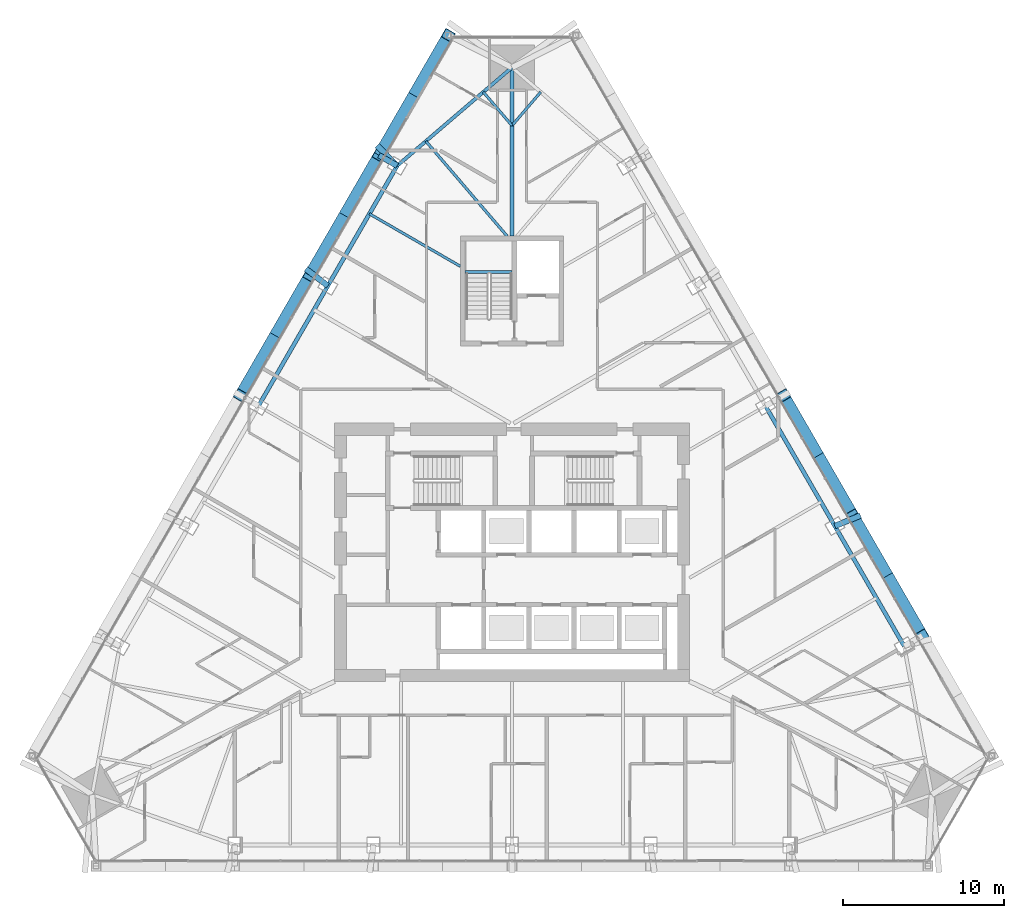
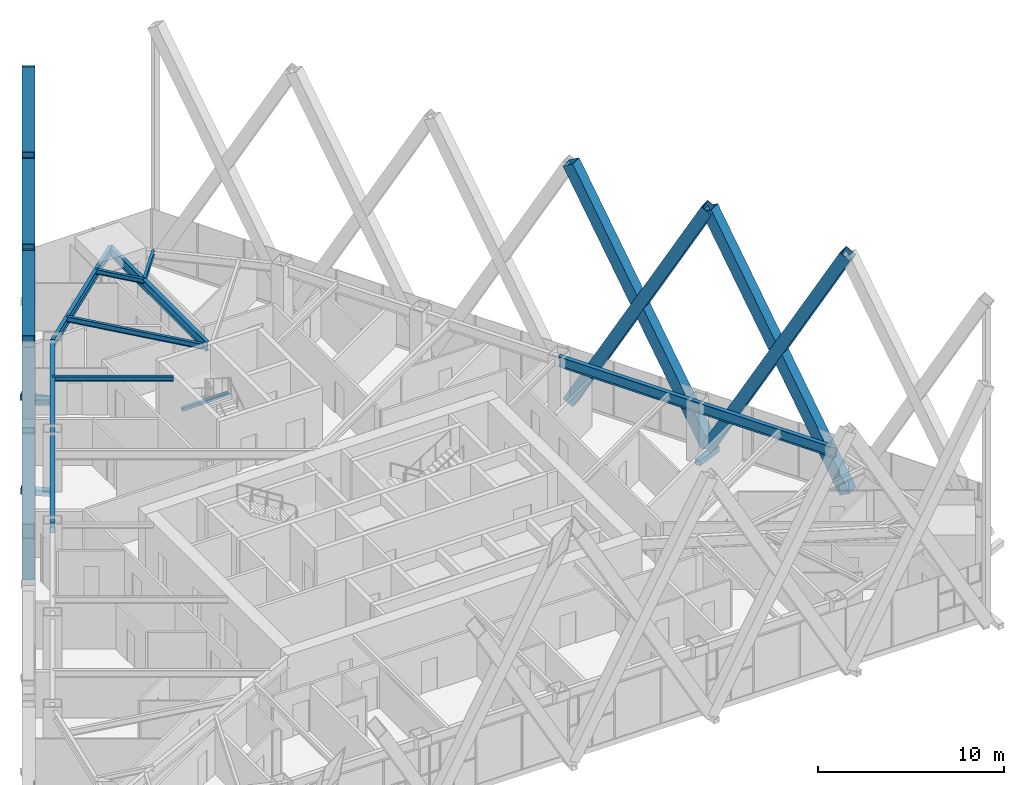
# One storey, part 14 of 23: 14 members, 9 beams.
"""IFC4 building model written with IfcOpenShell, lengths in metres."""

from ifc_helpers import new_model, si_unit, direction, frame, origin, origin_2d, place, context, subcontext, project, spatial, rectangle, hollow_rectangle, i_section, extrude, material, material_profile, profile_set, type_object, element, save


model = new_model("IFC4")

# Units and contexts
model_context = context("Model", 3, precision=1e-05, world=origin(), true_north=direction((0.0, 1.0)))
body_context = subcontext(model_context, "Body", "Model", "MODEL_VIEW")
ifc_project = project(units=[si_unit("LENGTHUNIT", "METRE"), si_unit("AREAUNIT", "SQUARE_METRE"), si_unit("VOLUMEUNIT", "CUBIC_METRE"), si_unit("PLANEANGLEUNIT", "RADIAN"), si_unit("MASSUNIT", "GRAM", prefix="KILO")], contexts=[model_context])

# Site, building, storey
site_placement = place(None, origin())
site = spatial("IfcSite", under=ifc_project, at=site_placement, CompositionType="ELEMENT")
building_placement = place(site_placement, origin())
building = spatial("IfcBuilding", under=site, at=building_placement, Name="Firuza Gate Tower and Library", CompositionType="ELEMENT")
storey_placement = place(building_placement, frame((0.0, 0.0, 202.60009765625)))
storey = spatial("IfcBuildingStorey", under=building, at=storey_placement, Name="L47", CompositionType="ELEMENT", Elevation=202.60009765625)

# Members
ifc_material_1 = material(Name="Steel S355", Category="steel")
ifc_material_profile_1 = material_profile(ifc_material_1, hollow_rectangle(XDim=0.699951171875, YDim=0.699951171875, WallThickness=0.030029296875, at=origin_2d()))
ifc_profile_set_1 = profile_set([ifc_material_profile_1], Name="Steel S355")
member_type_1 = type_object("IfcMemberType", Name="BU700x700x30 Lattice brace", PredefinedType="BRACE", material=ifc_profile_set_1)
for number, where, z_axis, x_axis, name in (
    (1, (100.4306640625, 69.836181640625, 0.0), (-0.241257548081, 0.417869039528, 0.875888269871), (-0.866024734654, -0.500001158966, 0.0), "Lattice brace E 11.2R"),
    (2, (96.1337890625, 77.278564453125, 0.0), (0.241257548081, -0.417869039528, 0.875888269871), (0.866024734654, 0.500001158966, 0.0), "Lattice brace E 11.2L"),
    (3, (96.1337890625, 77.278564453125, 0.0), (-0.241257548081, 0.417869039528, 0.875888269871), (-0.866024734654, -0.500001158966, 0.0), "Lattice brace E 11.3R"),
    (4, (91.8369140625, 84.720947265625, 0.0), (0.241257548081, -0.417869039528, 0.875888269871), (0.866024734654, 0.500001158966, 0.0), "Lattice brace E 11.3L"),
    (5, (71.0537109375, 107.048095703125, 0.0), (-0.241257548081, -0.417869039528, 0.875888269871), (0.866024734654, -0.500001158966, 0.0), "Lattice brace W 11.1R"),
    (6, (66.7568359375, 99.605712890625, 0.0), (0.241257548081, 0.417869039528, 0.875888269871), (-0.866024734654, 0.500001158966, 0.0), "Lattice brace W 11.1L"),
    (7, (66.7568359375, 99.605712890625, 0.0), (-0.241257548081, -0.417869039528, 0.875888269871), (0.866024734654, -0.500001158966, 0.0), "Lattice brace W 11.2R"),
    (8, (62.4599609375, 92.163330078125, 0.0), (0.241257548081, 0.417869039528, 0.875888269871), (-0.866024734654, 0.500001158966, 0.0), "Lattice brace W 11.2L"),
    (9, (62.4599609375, 92.163330078125, 0.0), (-0.241257548081, -0.417869039528, 0.875888269871), (0.866024734654, -0.500001158966, 0.0), "Lattice brace W 11.3R"),
    (10, (58.1630859375, 84.720947265625, 0.0), (0.241257548081, 0.417869039528, 0.875888269871), (-0.866024734654, 0.500001158966, 0.0), "Lattice brace W 11.3L"),
):
    element("IfcMember", number, at=place(storey_placement, frame(where, z_axis=z_axis, x_axis=x_axis)), inside=storey, type_object=member_type_1, Name=name, PredefinedType="BRACE", context=body_context, shape_type="SweptSolid", body=[
        extrude(hollow_rectangle(XDim=0.699951171875, YDim=0.699951171875, WallThickness=0.030029296875, at=origin_2d()), origin(), (0.0, 0.0, 1.0), 17.810302734375),
    ])
ifc_material_2 = material(Name="Steel S355", Category="steel")
ifc_material_profile_2 = material_profile(ifc_material_2, hollow_rectangle(XDim=0.355712890625, YDim=0.355712890625, WallThickness=0.014892578125, at=origin_2d()))
ifc_profile_set_2 = profile_set([ifc_material_profile_2], Name="Steel S355")
member_type_2 = type_object("IfcMemberType", Name="HSS356x356x16 Lattice node tie", PredefinedType="BRACE", material=ifc_profile_set_2)
member_1_placement = place(storey_placement, frame((95.008056640625, 76.62841796875, -0.320068359375), z_axis=(0.925290391494, 0.379259398576, 0.0), x_axis=(-0.379259398576, 0.925290391494, 0.0)))
element("IfcMember", 11, at=member_1_placement, inside=storey, type_object=member_type_2, Name="Lattice node tie E L47 235", PredefinedType="BRACE", context=body_context, shape_type="SweptSolid", body=[
    extrude(hollow_rectangle(XDim=0.355712890625, YDim=0.355712890625, WallThickness=0.014892578125, at=origin_2d()), origin(), (0.0, 0.0, 1.0), 1.71435546875),
])
member_2_placement = place(storey_placement, frame((63.585693359375, 91.51318359375, -0.320068359375), z_axis=(-0.791059417133, 0.611739322396, 0.0), x_axis=(-0.611739322396, -0.791059417133, 0.0)))
element("IfcMember", 12, at=member_2_placement, inside=storey, type_object=member_type_2, Name="Lattice node tie W L47 257", PredefinedType="BRACE", context=body_context, shape_type="SweptSolid", body=[
    extrude(hollow_rectangle(XDim=0.355712890625, YDim=0.355712890625, WallThickness=0.014892578125, at=origin_2d()), origin(), (0.0, 0.0, 1.0), 1.714111328125),
])
member_3_placement = place(storey_placement, frame((67.882568359375, 98.95556640625, -0.320068359375), z_axis=(-0.705092541006, 0.709115299946, 0.0), x_axis=(-0.709115299946, -0.705092541006, 0.0)))
element("IfcMember", 13, at=member_3_placement, inside=storey, type_object=member_type_2, Name="Lattice node tie W L47 258", PredefinedType="BRACE", context=body_context, shape_type="SweptSolid", body=[
    extrude(hollow_rectangle(XDim=0.355712890625, YDim=0.355712890625, WallThickness=0.014892578125, at=origin_2d()), origin(), (0.0, 0.0, 1.0), 1.760009765625),
])
member_4_placement = place(storey_placement, frame((67.882568359375, 98.95556640625, -0.320068359375), z_axis=(-0.86595725628, 0.500118016368, 0.0), x_axis=(-0.500118016368, -0.86595725628, 0.0)))
element("IfcMember", 14, at=member_4_placement, inside=storey, type_object=member_type_2, Name="Lattice node tie W L47 259", PredefinedType="BRACE", context=body_context, shape_type="SweptSolid", body=[
    extrude(hollow_rectangle(XDim=0.355712890625, YDim=0.355712890625, WallThickness=0.014892578125, at=origin_2d()), origin(), (0.0, 0.0, 1.0), 1.300048828125),
])

# Beams
ifc_material_3 = material(Name="Concrete C35/45", Category="concrete")
ifc_material_profile_3 = material_profile(ifc_material_3, rectangle(XDim=0.199951171875, YDim=0.199951171875, at=origin_2d()))
ifc_profile_set_3 = profile_set([ifc_material_profile_3], Name="Concrete C35/45")
beam_type_1 = type_object("IfcBeamType", Name="Stair landing bearer 200x200", PredefinedType="BEAM", material=ifc_profile_set_3)
beam_1_placement = place(storey_placement, frame((75.0, 92.3701171875, 1.64990234375), z_axis=(-1.0, 0.0, 0.0), x_axis=(0.0, -1.0, 0.0)))
element("IfcBeam", 15, at=beam_1_placement, inside=storey, type_object=beam_type_1, Name="Landing bearer L47 stair 3", PredefinedType="BEAM", context=body_context, shape_type="SweptSolid", body=[
    extrude(rectangle(XDim=0.199951171875, YDim=0.199951171875, at=origin_2d()), origin(), (0.0, 0.0, 1.0), 2.89990234375),
])
ifc_material_4 = material(Name="Steel S355", Category="steel")
ifc_material_profile_4 = material_profile(ifc_material_4, i_section(OverallWidth=0.1650390625, OverallDepth=0.31005859375, WebThickness=0.005859375, FlangeThickness=0.009765625, at=origin_2d()))
ifc_profile_set_4 = profile_set([ifc_material_profile_4], Name="Steel S355")
beam_type_2 = type_object("IfcBeamType", Name="W310x39 Floor beam", PredefinedType="JOIST", material=ifc_profile_set_4)
for number, where, z_axis, x_axis, name in (
    (16, (76.779296875, 103.52490234375, 3.544921875), (-0.650291557342, -0.759684730957, 0.0), (0.759684730957, -0.650291557342, 0.0), "Floor beam L47 s61"),
    (17, (73.220703125, 103.52490234375, 3.544921875), (0.650291557342, -0.759684730957, 0.0), (0.759684730957, 0.650291557342, 0.0), "Floor beam L47 s70"),
):
    element("IfcBeam", number, at=place(storey_placement, frame(where, z_axis=z_axis, x_axis=x_axis)), inside=storey, type_object=beam_type_2, Name=name, PredefinedType="JOIST", context=body_context, shape_type="SweptSolid", body=[
        extrude(i_section(OverallWidth=0.1650390625, OverallDepth=0.31005859375, WebThickness=0.005859375, FlangeThickness=0.009765625, at=origin_2d()), origin(), (0.0, 0.0, 1.0), 2.736083984375),
    ])
beam_2_placement = place(storey_placement, frame((66.163818359375, 95.978759765625, 3.544921875), z_axis=(0.866020665746, -0.500008206434, 0.0), x_axis=(0.500008206434, 0.866020665746, 0.0)))
element("IfcBeam", 18, at=beam_2_placement, inside=storey, type_object=beam_type_2, Name="Floor beam L47 s80", PredefinedType="JOIST", context=body_context, shape_type="SweptSolid", body=[
    extrude(i_section(OverallWidth=0.1650390625, OverallDepth=0.31005859375, WebThickness=0.005859375, FlangeThickness=0.009765625, at=origin_2d()), origin(), (0.0, 0.0, 1.0), 6.50830078125),
])
ifc_material_5 = material(Name="Steel S355", Category="steel")
ifc_material_profile_5 = material_profile(ifc_material_5, i_section(OverallWidth=0.1708984375, OverallDepth=0.35498046875, WebThickness=0.007080078125, FlangeThickness=0.01171875, at=origin_2d()))
ifc_profile_set_5 = profile_set([ifc_material_profile_5], Name="Steel S355")
beam_type_3 = type_object("IfcBeamType", Name="W360x51 Floor beam", PredefinedType="JOIST", material=ifc_profile_set_5)
beam_3_placement = place(storey_placement, frame((69.661865234375, 100.478759765625, 3.5224609375), z_axis=(0.650297579559, -0.759679575887, 0.0), x_axis=(0.759679575887, 0.650297579559, 0.0)))
element("IfcBeam", 19, at=beam_3_placement, inside=storey, type_object=beam_type_3, Name="Floor beam L47 s71", PredefinedType="JOIST", context=body_context, shape_type="SweptSolid", body=[
    extrude(i_section(OverallWidth=0.1708984375, OverallDepth=0.35498046875, WebThickness=0.007080078125, FlangeThickness=0.01171875, at=origin_2d()), origin(), (0.0, 0.0, 1.0), 7.73828125),
])
ifc_material_6 = material(Name="Steel S355", Category="steel")
ifc_material_profile_6 = material_profile(ifc_material_6, i_section(OverallWidth=0.212890625, OverallDepth=0.5390625, WebThickness=0.01171875, FlangeThickness=0.018798828125, at=origin_2d()))
ifc_profile_set_6 = profile_set([ifc_material_profile_6], Name="Steel S355")
beam_type_4 = type_object("IfcBeamType", Name="W530x109 Edge beam", PredefinedType="SPANDREL", material=ifc_profile_set_6)
beam_4_placement = place(storey_placement, frame((75.0, 105.048095703125, 3.430419921875), z_axis=(-0.759685024289, -0.650291214665, 0.0), x_axis=(0.650291214665, -0.759685024289, 0.0)))
element("IfcBeam", 20, at=beam_4_placement, inside=storey, type_object=beam_type_4, Name="Edge beam L47 e70", PredefinedType="SPANDREL", context=body_context, shape_type="SweptSolid", body=[
    extrude(i_section(OverallWidth=0.212890625, OverallDepth=0.5390625, WebThickness=0.01171875, FlangeThickness=0.018798828125, at=origin_2d()), origin(), (0.0, 0.0, 1.0), 9.368896484375),
])
ifc_material_7 = material(Name="Steel S355", Category="steel")
ifc_material_profile_7 = material_profile(ifc_material_7, i_section(OverallWidth=0.22802734375, OverallDepth=0.60302734375, WebThickness=0.010498046875, FlangeThickness=0.014892578125, at=origin_2d()))
ifc_profile_set_7 = profile_set([ifc_material_profile_7], Name="Steel S355")
beam_type_5 = type_object("IfcBeamType", Name="W610x101 Girder", PredefinedType="BEAM", material=ifc_profile_set_7)
beam_5_placement = place(storey_placement, frame((75.0, 105.048095703125, 3.3984375), z_axis=(0.0, -1.0, 0.0), x_axis=(1.0, 0.0, 0.0)))
element("IfcBeam", 21, at=beam_5_placement, inside=storey, type_object=beam_type_5, Name="Girder L47 gN", PredefinedType="BEAM", context=body_context, shape_type="SweptSolid", body=[
    extrude(i_section(OverallWidth=0.22802734375, OverallDepth=0.60302734375, WebThickness=0.010498046875, FlangeThickness=0.014892578125, at=origin_2d()), origin(), (0.0, 0.0, 1.0), 10.447998046875),
])
ifc_material_8 = material(Name="Steel S355", Category="steel")
ifc_material_profile_8 = material_profile(ifc_material_8, i_section(OverallWidth=0.2529296875, OverallDepth=0.677978515625, WebThickness=0.01171875, FlangeThickness=0.016357421875, at=origin_2d()))
ifc_profile_set_8 = profile_set([ifc_material_profile_8], Name="Steel S355")
beam_type_6 = type_object("IfcBeamType", Name="W690x125 Edge beam", PredefinedType="SPANDREL", material=ifc_profile_set_8)
for number, where, z_axis, x_axis, name in (
    (22, (99.304931640625, 69.18603515625, 3.36083984375), (-0.500001158966, 0.866024734654, 0.0), (-0.866024734654, -0.500001158966, 0.0), "Edge beam L47 e50"),
    (23, (67.882568359375, 98.95556640625, 3.36083984375), (-0.500001158966, -0.866024734654, 0.0), (0.866024734654, -0.500001158966, 0.0), "Edge beam L47 e80"),
):
    element("IfcBeam", number, at=place(storey_placement, frame(where, z_axis=z_axis, x_axis=x_axis)), inside=storey, type_object=beam_type_6, Name=name, PredefinedType="SPANDREL", context=body_context, shape_type="SweptSolid", body=[
        extrude(i_section(OverallWidth=0.2529296875, OverallDepth=0.677978515625, WebThickness=0.01171875, FlangeThickness=0.016357421875, at=origin_2d()), origin(), (0.0, 0.0, 1.0), 17.1875),
    ])

save(model, "model.ifc")
